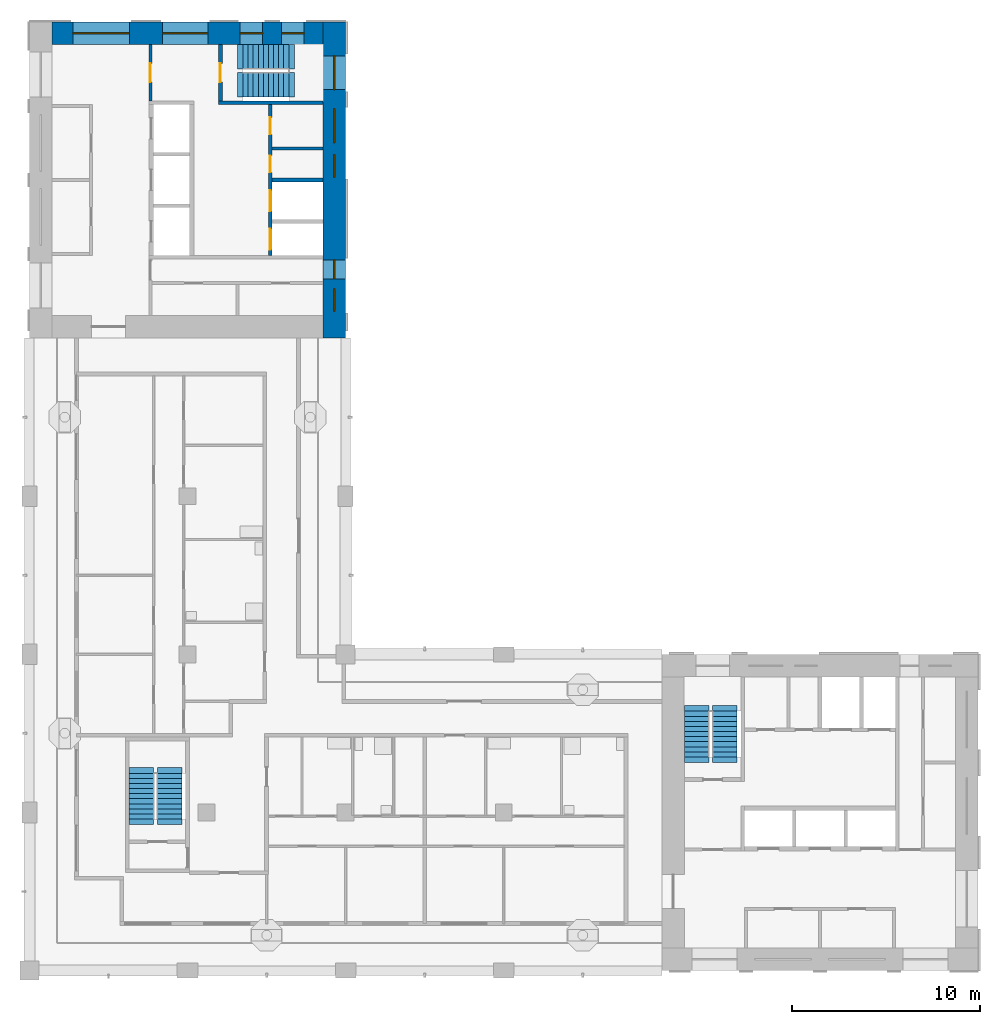
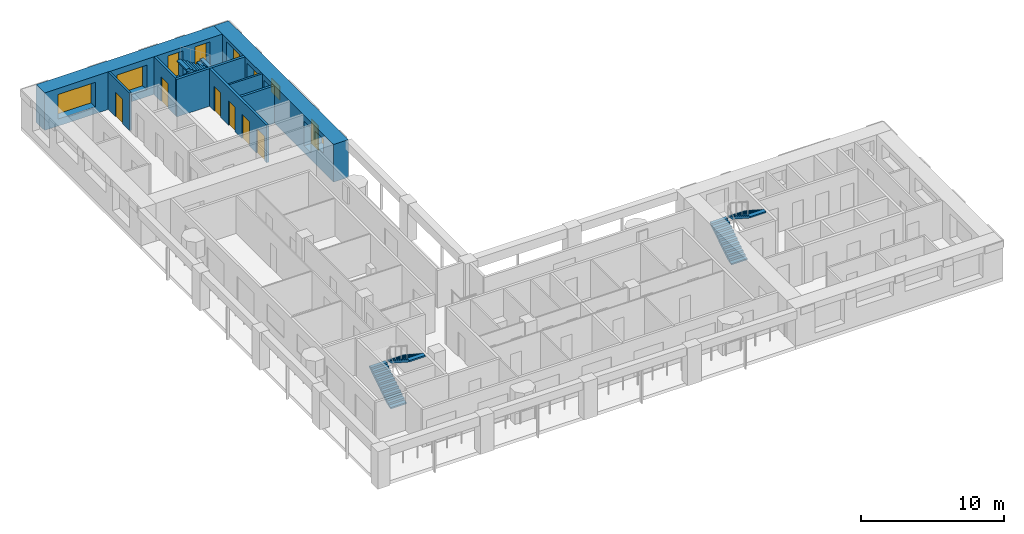
# One storey, part 6 of 11: 9 windows, 8 walls, 6 doors, 6 stair flights, 15 openings, 3 elements without a shape of their own.
"""IFC4 building model written with IfcOpenShell, lengths in metres."""

from ifc_helpers import new_model, si_unit, direction, frame, frame_2d, origin, place, context, subcontext, project, spatial, polyline, rectangle, outline, extrude, material, layer, layer_set, type_object, element, fill, aggregate, save


model = new_model("IFC4")

# Units and contexts
model_context = context("Model", 3, precision=1e-05, world=origin(), true_north=direction((0.0, 1.0)))
body_context = subcontext(model_context, "Body", "Model", "MODEL_VIEW")
ifc_project = project(units=[si_unit("LENGTHUNIT", "METRE"), si_unit("AREAUNIT", "SQUARE_METRE"), si_unit("VOLUMEUNIT", "CUBIC_METRE"), si_unit("PLANEANGLEUNIT", "RADIAN"), si_unit("MASSUNIT", "GRAM", prefix="KILO")], contexts=[model_context])

# Site, building, storey
site_placement = place(None, origin())
site = spatial("IfcSite", under=ifc_project, at=site_placement, CompositionType="ELEMENT")
building_placement = place(site_placement, origin())
building = spatial("IfcBuilding", under=site, at=building_placement, Name="Vermilion Gate Residences", CompositionType="ELEMENT")
storey_placement = place(building_placement, frame((0.0, 0.0, 259.699951171875)))
storey = spatial("IfcBuildingStorey", under=building, at=storey_placement, Name="L68", CompositionType="ELEMENT", Elevation=259.699951171875)

# Wall
ifc_material_1 = material(Name="Masonry blockwork", Category="masonry")
ifc_layer_1 = layer(ifc_material_1, 0.14990234375)
ifc_layer_set_1 = layer_set([ifc_layer_1], Name="BLOCKWORK PARTITION 150 EI 120")
wall_type_1 = type_object("IfcWallType", Name="BLOCKWORK PARTITION 150 EI 120", PredefinedType="PARTITIONING", material=ifc_layer_set_1)
wall_1_placement = place(storey_placement, frame((21.300048828125, 52.074951171875, 0.0), z_axis=(0.0, 0.0, 1.0), x_axis=(1.0, 0.0, 0.0)))
element("IfcWall", 1, at=wall_1_placement, inside=storey, type_object=wall_type_1, Name="Core room partition B68-NR-P0", PredefinedType="PARTITIONING", context=body_context, shape_type="SweptSolid", body=[
    extrude(rectangle(XDim=2.699951171875, YDim=0.14990234375, at=frame_2d((1.35009765625, 0.0))), origin(), (0.0, 0.0, 1.0), 3.219970703125),
])

# Wall, opening, door
wall_2_placement = place(storey_placement, frame((14.824951171875, 57.60009765625, 0.0), z_axis=(0.0, 0.0, 1.0), x_axis=(0.0, -1.0, 0.0)))
wall_2 = element("IfcWall", 2, at=wall_2_placement, inside=storey, type_object=wall_type_1, Name="Core room partition B68-VW-S", PredefinedType="PARTITIONING", context=body_context, shape_type="SweptSolid", body=[
    extrude(rectangle(XDim=3.0, YDim=0.14990234375, at=frame_2d((1.5, 0.0))), origin(), (0.0, 0.0, 1.0), 3.219970703125),
])
opening_1_placement = place(wall_2_placement, frame((1.0, 0.0, 0.0)))
opening_1 = element("IfcOpeningElement", 3, at=opening_1_placement, cuts=wall_2, Name="Opening DK68111", PredefinedType="OPENING", context=body_context, shape_type="SweptSolid", body=[
    extrude(rectangle(XDim=1.0, YDim=2.10009765625, at=frame_2d((0.5, 1.050048828125))), frame((0.0, 0.0849609375, 0.0), z_axis=(0.0, -1.0, 0.0), x_axis=(1.0, 0.0, 0.0)), (0.0, 0.0, 1.0), 0.169921875),
])
ifc_material_2 = material(Name="Steel", Category="steel")
door_type_1 = type_object("IfcDoorType", Name="FIRE DOOR FD60 1000 X 2100", OperationType="SINGLE_SWING_LEFT", PredefinedType="DOOR", material=ifc_material_2)
door_1_placement = place(opening_1_placement, frame((1.0, 0.0, 0.0), z_axis=(0.0, 0.0, 1.0), x_axis=(-1.0, 0.0, 0.0)))
door_1 = element("IfcDoor", 4, at=door_1_placement, inside=storey, type_object=door_type_1, Name="Stair vestibule door B68", OperationType="SINGLE_SWING_RIGHT", OverallHeight=2.10009765625, OverallWidth=1.0, PredefinedType="DOOR", context=body_context, shape_type="SweptSolid", body=[
    extrude(rectangle(XDim=1.0, YDim=2.10009765625, at=frame_2d((0.5, 1.050048828125))), frame((0.0, 0.02490234375, 0.0), z_axis=(0.0, -1.0, 0.0), x_axis=(1.0, 0.0, 0.0)), (0.0, 0.0, 1.0), 0.050048828125),
])
fill(opening_1, door_1)

# Wall
ifc_material_3 = material(Name="Concrete C60", Category="concrete")
ifc_layer_2 = layer(ifc_material_3, 0.199951171875)
ifc_layer_set_2 = layer_set([ifc_layer_2], Name="RC CORE INTERNAL WALL 200 C60")
wall_type_2 = type_object("IfcWallType", Name="RC CORE INTERNAL WALL 200 C60", PredefinedType="SHEAR", material=ifc_layer_set_2)
wall_3_placement = place(storey_placement, frame((21.300048828125, 50.39990234375, 0.0), z_axis=(0.0, 0.0, 1.0), x_axis=(1.0, 0.0, 0.0)))
element("IfcWall", 5, at=wall_3_placement, inside=storey, type_object=wall_type_2, Name="Core internal wall B68-FF-D0", PredefinedType="SHEAR", context=body_context, shape_type="SweptSolid", body=[
    extrude(rectangle(XDim=2.699951171875, YDim=0.199951171875, at=frame_2d((1.35009765625, 0.0))), origin(), (0.0, 0.0, 1.0), 3.219970703125),
])

# Wall, openings, doors
wall_4_placement = place(storey_placement, frame((21.199951171875, 54.39990234375, 0.0), z_axis=(0.0, 0.0, 1.0), x_axis=(0.0, -1.0, 0.0)))
wall_4 = element("IfcWall", 6, at=wall_4_placement, inside=storey, type_object=wall_type_2, Name="Core internal wall B68-FF-F", PredefinedType="SHEAR", context=body_context, shape_type="SweptSolid", body=[
    extrude(rectangle(XDim=8.0, YDim=0.199951171875, at=frame_2d((4.0, 0.0))), origin(), (0.0, 0.0, 1.0), 3.219970703125),
])
opening_2_placement = place(wall_4_placement, frame((0.675048828125, 0.0, 0.0)))
opening_2 = element("IfcOpeningElement", 7, at=opening_2_placement, cuts=wall_4, Name="Opening DK68107", PredefinedType="OPENING", context=body_context, shape_type="SweptSolid", body=[
    extrude(rectangle(XDim=0.89990234375, YDim=2.10009765625, at=frame_2d((0.449951171875, 1.050048828125))), frame((0.0, 0.10986328125, 0.0), z_axis=(0.0, -1.0, 0.0), x_axis=(1.0, 0.0, 0.0)), (0.0, 0.0, 1.0), 0.219970703125),
])
opening_3_placement = place(wall_4_placement, frame((2.699951171875, 0.0, 0.0)))
opening_3 = element("IfcOpeningElement", 8, at=opening_3_placement, cuts=wall_4, Name="Opening DK68108", PredefinedType="OPENING", context=body_context, shape_type="SweptSolid", body=[
    extrude(rectangle(XDim=0.89990234375, YDim=2.10009765625, at=frame_2d((0.449951171875, 1.050048828125))), frame((0.0, 0.10986328125, 0.0), z_axis=(0.0, -1.0, 0.0), x_axis=(1.0, 0.0, 0.0)), (0.0, 0.0, 1.0), 0.219970703125),
])
opening_4_placement = place(wall_4_placement, frame((4.550048828125, 0.0, 0.0)))
opening_4 = element("IfcOpeningElement", 9, at=opening_4_placement, cuts=wall_4, Name="Opening LD", PredefinedType="OPENING", context=body_context, shape_type="SweptSolid", body=[
    extrude(rectangle(XDim=1.10009765625, YDim=2.10009765625, at=frame_2d((0.550048828125, 1.050048828125))), frame((0.0, 0.10986328125, 0.0), z_axis=(0.0, -1.0, 0.0), x_axis=(1.0, 0.0, 0.0)), (0.0, 0.0, 1.0), 0.219970703125),
])
opening_5_placement = place(wall_4_placement, frame((6.60009765625, 0.0, 0.0)))
opening_5 = element("IfcOpeningElement", 10, at=opening_5_placement, cuts=wall_4, Name="Opening LD", PredefinedType="OPENING", context=body_context, shape_type="SweptSolid", body=[
    extrude(rectangle(XDim=1.10009765625, YDim=2.10009765625, at=frame_2d((0.550048828125, 1.050048828125))), frame((0.0, 0.10986328125, 0.0), z_axis=(0.0, -1.0, 0.0), x_axis=(1.0, 0.0, 0.0)), (0.0, 0.0, 1.0), 0.219970703125),
])
ifc_material_4 = material(Name="Stainless steel", Category="steel")
door_type_2 = type_object("IfcDoorType", Name="LIFT LANDING DOOR E60 1100 X 2100", OperationType="DOUBLE_DOOR_SLIDING", PredefinedType="DOOR", material=ifc_material_4)
door_2_placement = place(opening_4_placement, origin())
door_2 = element("IfcDoor", 11, at=door_2_placement, inside=storey, type_object=door_type_2, Name="Lift landing door LFB1", OperationType="DOUBLE_DOOR_SLIDING", OverallHeight=2.10009765625, OverallWidth=1.10009765625, PredefinedType="DOOR", context=body_context, shape_type="SweptSolid", body=[
    extrude(rectangle(XDim=1.10009765625, YDim=2.10009765625, at=frame_2d((0.550048828125, 1.050048828125))), frame((0.0, 0.02490234375, 0.0), z_axis=(0.0, -1.0, 0.0), x_axis=(1.0, 0.0, 0.0)), (0.0, 0.0, 1.0), 0.050048828125),
])
fill(opening_4, door_2)
door_3_placement = place(opening_5_placement, origin())
door_3 = element("IfcDoor", 12, at=door_3_placement, inside=storey, type_object=door_type_2, Name="Lift landing door LCB1", OperationType="DOUBLE_DOOR_SLIDING", OverallHeight=2.10009765625, OverallWidth=1.10009765625, PredefinedType="DOOR", context=body_context, shape_type="SweptSolid", body=[
    extrude(rectangle(XDim=1.10009765625, YDim=2.10009765625, at=frame_2d((0.550048828125, 1.050048828125))), frame((0.0, 0.02490234375, 0.0), z_axis=(0.0, -1.0, 0.0), x_axis=(1.0, 0.0, 0.0)), (0.0, 0.0, 1.0), 0.050048828125),
])
fill(opening_5, door_3)
ifc_material_5 = material(Name="Steel", Category="steel")
door_type_3 = type_object("IfcDoorType", Name="SERVICE ROOM DOOR FD60 900 X 2100", OperationType="SINGLE_SWING_LEFT", PredefinedType="DOOR", material=ifc_material_5)
door_4_placement = place(opening_2_placement, origin())
door_4 = element("IfcDoor", 13, at=door_4_placement, inside=storey, type_object=door_type_3, Name="Parcel room B68", OperationType="SINGLE_SWING_RIGHT", OverallHeight=2.10009765625, OverallWidth=0.89990234375, PredefinedType="DOOR", context=body_context, shape_type="SweptSolid", body=[
    extrude(rectangle(XDim=0.89990234375, YDim=2.10009765625, at=frame_2d((0.449951171875, 1.050048828125))), frame((0.0, 0.02490234375, 0.0), z_axis=(0.0, -1.0, 0.0), x_axis=(1.0, 0.0, 0.0)), (0.0, 0.0, 1.0), 0.050048828125),
])
fill(opening_2, door_4)
door_5_placement = place(opening_3_placement, frame((0.89990234375, 0.0, 0.0), z_axis=(0.0, 0.0, 1.0), x_axis=(-1.0, 0.0, 0.0)))
door_5 = element("IfcDoor", 14, at=door_5_placement, inside=storey, type_object=door_type_3, Name="Electrical room B68", OperationType="SINGLE_SWING_RIGHT", OverallHeight=2.10009765625, OverallWidth=0.89990234375, PredefinedType="DOOR", context=body_context, shape_type="SweptSolid", body=[
    extrude(rectangle(XDim=0.89990234375, YDim=2.10009765625, at=frame_2d((0.449951171875, 1.050048828125))), frame((0.0, 0.02490234375, 0.0), z_axis=(0.0, -1.0, 0.0), x_axis=(1.0, 0.0, 0.0)), (0.0, 0.0, 1.0), 0.050048828125),
])
fill(opening_3, door_5)

# Wall
wall_5_placement = place(storey_placement, frame((18.449951171875, 54.5, 0.0), z_axis=(0.0, 0.0, 1.0), x_axis=(1.0, 0.0, 0.0)))
element("IfcWall", 15, at=wall_5_placement, inside=storey, type_object=wall_type_2, Name="Core internal wall B68-WDIV2", PredefinedType="SHEAR", context=body_context, shape_type="SweptSolid", body=[
    extrude(rectangle(XDim=5.550048828125, YDim=0.199951171875, at=frame_2d((2.77490234375, 0.0))), origin(), (0.0, 0.0, 1.0), 3.219970703125),
])

# Wall, opening, door
wall_6_placement = place(storey_placement, frame((18.550048828125, 57.60009765625, 0.0), z_axis=(0.0, 0.0, 1.0), x_axis=(0.0, -1.0, 0.0)))
wall_6 = element("IfcWall", 16, at=wall_6_placement, inside=storey, type_object=wall_type_2, Name="Core internal wall B68-STW-S", PredefinedType="SHEAR", context=body_context, shape_type="SweptSolid", body=[
    extrude(rectangle(XDim=3.0, YDim=0.199951171875, at=frame_2d((1.5, 0.0))), origin(), (0.0, 0.0, 1.0), 3.219970703125),
])
opening_6_placement = place(wall_6_placement, frame((1.0, 0.0, 0.0)))
opening_6 = element("IfcOpeningElement", 17, at=opening_6_placement, cuts=wall_6, Name="Opening DK68112", PredefinedType="OPENING", context=body_context, shape_type="SweptSolid", body=[
    extrude(rectangle(XDim=1.0, YDim=2.10009765625, at=frame_2d((0.5, 1.050048828125))), frame((0.0, 0.10986328125, 0.0), z_axis=(0.0, -1.0, 0.0), x_axis=(1.0, 0.0, 0.0)), (0.0, 0.0, 1.0), 0.219970703125),
])
door_6_placement = place(opening_6_placement, origin())
door_6 = element("IfcDoor", 18, at=door_6_placement, inside=storey, type_object=door_type_1, Name="Stair door B68", OperationType="SINGLE_SWING_LEFT", OverallHeight=2.10009765625, OverallWidth=1.0, PredefinedType="DOOR", context=body_context, shape_type="SweptSolid", body=[
    extrude(rectangle(XDim=1.0, YDim=2.10009765625, at=frame_2d((0.5, 1.050048828125))), frame((0.0, 0.02490234375, 0.0), z_axis=(0.0, -1.0, 0.0), x_axis=(1.0, 0.0, 0.0)), (0.0, 0.0, 1.0), 0.050048828125),
])
fill(opening_6, door_6)

# Wall, openings, windows
ifc_material_6 = material(Name="Concrete C50 red-oxide pigmented", Category="concrete")
ifc_layer_3 = layer(ifc_material_6, 1.199951171875)
ifc_layer_set_3 = layer_set([ifc_layer_3], Name="RC CORE WALL 1200 C50 RED OXIDE")
wall_type_3 = type_object("IfcWallType", Name="RC CORE WALL 1200 C50 RED OXIDE", PredefinedType="SHEAR", material=ifc_layer_set_3)
wall_7_placement = place(storey_placement, frame((24.60009765625, 58.800048828125, 0.0), z_axis=(0.0, 0.0, 1.0), x_axis=(0.0, -1.0, 0.0)))
wall_7 = element("IfcWall", 19, at=wall_7_placement, inside=storey, type_object=wall_type_3, Name="Core wall B68-OUT-B1", PredefinedType="SHEAR", context=body_context, shape_type="SweptSolid", body=[
    extrude(rectangle(XDim=16.800048828125, YDim=1.199951171875, at=frame_2d((8.39990234375, 0.0))), origin(), (0.0, 0.0, 1.0), 3.219970703125),
])
opening_7_placement = place(wall_7_placement, frame((1.800048828125, 0.0, 0.5)))
opening_7 = element("IfcOpeningElement", 20, at=opening_7_placement, cuts=wall_7, Name="Opening WKB6805", PredefinedType="OPENING", context=body_context, shape_type="SweptSolid", body=[
    extrude(rectangle(XDim=1.800048828125, YDim=2.39990234375, at=frame_2d((0.89990234375, 1.199951171875))), frame((0.0, 0.60986328125, 0.0), z_axis=(0.0, -1.0, 0.0), x_axis=(1.0, 0.0, 0.0)), (0.0, 0.0, 1.0), 1.219970703125),
])
opening_8_placement = place(wall_7_placement, frame((4.625, 0.0, 1.60009765625)))
opening_8 = element("IfcOpeningElement", 21, at=opening_8_placement, cuts=wall_7, Name="Opening WKB6806", PredefinedType="OPENING", context=body_context, shape_type="SweptSolid", body=[
    extrude(rectangle(XDim=1.800048828125, YDim=1.199951171875, at=frame_2d((0.89990234375, 0.60009765625))), frame((0.0, 0.60986328125, 0.0), z_axis=(0.0, -1.0, 0.0), x_axis=(1.0, 0.0, 0.0)), (0.0, 0.0, 1.0), 1.219970703125),
])
opening_9_placement = place(wall_7_placement, frame((7.050048828125, 0.0, 1.60009765625)))
opening_9 = element("IfcOpeningElement", 22, at=opening_9_placement, cuts=wall_7, Name="Opening WKB6807", PredefinedType="OPENING", context=body_context, shape_type="SweptSolid", body=[
    extrude(rectangle(XDim=1.199951171875, YDim=1.199951171875, at=frame_2d((0.60009765625, 0.60009765625))), frame((0.0, 0.60986328125, 0.0), z_axis=(0.0, -1.0, 0.0), x_axis=(1.0, 0.0, 0.0)), (0.0, 0.0, 1.0), 1.219970703125),
])
opening_10_placement = place(wall_7_placement, frame((12.64990234375, 0.0, 0.60009765625)))
opening_10 = element("IfcOpeningElement", 23, at=opening_10_placement, cuts=wall_7, Name="Opening WKB6808", PredefinedType="OPENING", context=body_context, shape_type="SweptSolid", body=[
    extrude(rectangle(XDim=1.0, YDim=2.10009765625, at=frame_2d((0.5, 1.050048828125))), frame((0.0, 0.60986328125, 0.0), z_axis=(0.0, -1.0, 0.0), x_axis=(1.0, 0.0, 0.0)), (0.0, 0.0, 1.0), 1.219970703125),
])
opening_11_placement = place(wall_7_placement, frame((14.175048828125, 0.0, 1.60009765625)))
opening_11 = element("IfcOpeningElement", 24, at=opening_11_placement, cuts=wall_7, Name="Opening WKB6809", PredefinedType="OPENING", context=body_context, shape_type="SweptSolid", body=[
    extrude(rectangle(XDim=1.199951171875, YDim=1.199951171875, at=frame_2d((0.60009765625, 0.60009765625))), frame((0.0, 0.60986328125, 0.0), z_axis=(0.0, -1.0, 0.0), x_axis=(1.0, 0.0, 0.0)), (0.0, 0.0, 1.0), 1.219970703125),
])
ifc_material_7 = material(Name="Aluminium and clear glass", Category="aluminium")
window_type_1 = type_object("IfcWindowType", Name="CORE CORRIDOR WINDOW 1000 X 2100", PartitioningType="SINGLE_PANEL", PredefinedType="WINDOW", material=ifc_material_7)
window_1_placement = place(opening_10_placement, origin())
window_1 = element("IfcWindow", 25, at=window_1_placement, inside=storey, type_object=window_type_1, Name="Core corridor window", OverallHeight=2.10009765625, OverallWidth=1.0, PartitioningType="SINGLE_PANEL", PredefinedType="WINDOW", context=body_context, shape_type="SweptSolid", body=[
    extrude(rectangle(XDim=1.0, YDim=2.10009765625, at=frame_2d((0.5, 1.050048828125))), frame((0.0, 0.030029296875, 0.0), z_axis=(0.0, -1.0, 0.0), x_axis=(1.0, 0.0, 0.0)), (0.0, 0.0, 1.0), 0.06005859375),
])
fill(opening_10, window_1)
ifc_material_8 = material(Name="Aluminium frame with louvre blades", Category="aluminium")
window_type_2 = type_object("IfcWindowType", Name="CORE LOUVRE 1200 X 1200", PartitioningType="SINGLE_PANEL", PredefinedType="WINDOW", material=ifc_material_8)
window_2_placement = place(opening_9_placement, origin())
window_2 = element("IfcWindow", 26, at=window_2_placement, inside=storey, type_object=window_type_2, Name="Core louvre", OverallHeight=1.199951171875, OverallWidth=1.199951171875, PartitioningType="SINGLE_PANEL", PredefinedType="WINDOW", context=body_context, shape_type="SweptSolid", body=[
    extrude(rectangle(XDim=1.199951171875, YDim=1.199951171875, at=frame_2d((0.60009765625, 0.60009765625))), frame((0.0, 0.030029296875, 0.0), z_axis=(0.0, -1.0, 0.0), x_axis=(1.0, 0.0, 0.0)), (0.0, 0.0, 1.0), 0.06005859375),
])
fill(opening_9, window_2)
window_3_placement = place(opening_11_placement, origin())
window_3 = element("IfcWindow", 27, at=window_3_placement, inside=storey, type_object=window_type_2, Name="Core louvre", OverallHeight=1.199951171875, OverallWidth=1.199951171875, PartitioningType="SINGLE_PANEL", PredefinedType="WINDOW", context=body_context, shape_type="SweptSolid", body=[
    extrude(rectangle(XDim=1.199951171875, YDim=1.199951171875, at=frame_2d((0.60009765625, 0.60009765625))), frame((0.0, 0.030029296875, 0.0), z_axis=(0.0, -1.0, 0.0), x_axis=(1.0, 0.0, 0.0)), (0.0, 0.0, 1.0), 0.06005859375),
])
fill(opening_11, window_3)
ifc_material_9 = material(Name="Aluminium frame with louvre blades", Category="aluminium")
window_type_3 = type_object("IfcWindowType", Name="CORE LOUVRE 1800 X 1200", PartitioningType="SINGLE_PANEL", PredefinedType="WINDOW", material=ifc_material_9)
window_4_placement = place(opening_8_placement, origin())
window_4 = element("IfcWindow", 28, at=window_4_placement, inside=storey, type_object=window_type_3, Name="Core louvre", OverallHeight=1.199951171875, OverallWidth=1.800048828125, PartitioningType="SINGLE_PANEL", PredefinedType="WINDOW", context=body_context, shape_type="SweptSolid", body=[
    extrude(rectangle(XDim=1.800048828125, YDim=1.199951171875, at=frame_2d((0.89990234375, 0.60009765625))), frame((0.0, 0.030029296875, 0.0), z_axis=(0.0, -1.0, 0.0), x_axis=(1.0, 0.0, 0.0)), (0.0, 0.0, 1.0), 0.06005859375),
])
fill(opening_8, window_4)
ifc_material_10 = material(Name="Aluminium and clear glass", Category="aluminium")
window_type_4 = type_object("IfcWindowType", Name="CORE STAIR WINDOW 1800 X 2400", PartitioningType="SINGLE_PANEL", PredefinedType="WINDOW", material=ifc_material_10)
window_5_placement = place(opening_7_placement, origin())
window_5 = element("IfcWindow", 29, at=window_5_placement, inside=storey, type_object=window_type_4, Name="Core stair window", OverallHeight=2.39990234375, OverallWidth=1.800048828125, PartitioningType="SINGLE_PANEL", PredefinedType="WINDOW", context=body_context, shape_type="SweptSolid", body=[
    extrude(rectangle(XDim=1.800048828125, YDim=2.39990234375, at=frame_2d((0.89990234375, 1.199951171875))), frame((0.0, 0.030029296875, 0.0), z_axis=(0.0, -1.0, 0.0), x_axis=(1.0, 0.0, 0.0)), (0.0, 0.0, 1.0), 0.06005859375),
])
fill(opening_7, window_5)

wall_8_placement = place(storey_placement, frame((9.60009765625, 58.199951171875, 0.0), z_axis=(0.0, 0.0, 1.0), x_axis=(1.0, 0.0, 0.0)))
wall_8 = element("IfcWall", 30, at=wall_8_placement, inside=storey, type_object=wall_type_3, Name="Core wall B68-OUT-FR", PredefinedType="SHEAR", context=body_context, shape_type="SweptSolid", body=[
    extrude(rectangle(XDim=14.39990234375, YDim=1.199951171875, at=frame_2d((7.199951171875, 0.0))), origin(), (0.0, 0.0, 1.0), 3.219970703125),
])
opening_12_placement = place(wall_8_placement, frame((1.10498046875, 0.0, 0.60009765625)))
opening_12 = element("IfcOpeningElement", 31, at=opening_12_placement, cuts=wall_8, Name="Opening WKB6810", PredefinedType="OPENING", context=body_context, shape_type="SweptSolid", body=[
    extrude(rectangle(XDim=3.0, YDim=2.10009765625, at=frame_2d((1.5, 1.050048828125))), frame((0.0, 0.60986328125, 0.0), z_axis=(0.0, -1.0, 0.0), x_axis=(1.0, 0.0, 0.0)), (0.0, 0.0, 1.0), 1.219970703125),
])
opening_13_placement = place(wall_8_placement, frame((5.875, 0.0, 0.60009765625)))
opening_13 = element("IfcOpeningElement", 32, at=opening_13_placement, cuts=wall_8, Name="Opening WKB6811", PredefinedType="OPENING", context=body_context, shape_type="SweptSolid", body=[
    extrude(rectangle(XDim=2.39990234375, YDim=2.10009765625, at=frame_2d((1.199951171875, 1.050048828125))), frame((0.0, 0.60986328125, 0.0), z_axis=(0.0, -1.0, 0.0), x_axis=(1.0, 0.0, 0.0)), (0.0, 0.0, 1.0), 1.219970703125),
])
opening_14_placement = place(wall_8_placement, frame((9.993408203125, 0.0, 0.5)))
opening_14 = element("IfcOpeningElement", 33, at=opening_14_placement, cuts=wall_8, Name="Opening WKB6812", PredefinedType="OPENING", context=body_context, shape_type="SweptSolid", body=[
    extrude(rectangle(XDim=1.199951171875, YDim=2.39990234375, at=frame_2d((0.60009765625, 1.199951171875))), frame((0.0, 0.60986328125, 0.0), z_axis=(0.0, -1.0, 0.0), x_axis=(1.0, 0.0, 0.0)), (0.0, 0.0, 1.0), 1.219970703125),
])
opening_15_placement = place(wall_8_placement, frame((12.19677734375, 0.0, 0.5)))
opening_15 = element("IfcOpeningElement", 34, at=opening_15_placement, cuts=wall_8, Name="Opening WKB6813", PredefinedType="OPENING", context=body_context, shape_type="SweptSolid", body=[
    extrude(rectangle(XDim=1.199951171875, YDim=2.39990234375, at=frame_2d((0.60009765625, 1.199951171875))), frame((0.0, 0.60986328125, 0.0), z_axis=(0.0, -1.0, 0.0), x_axis=(1.0, 0.0, 0.0)), (0.0, 0.0, 1.0), 1.219970703125),
])
ifc_material_11 = material(Name="Aluminium and clear glass", Category="aluminium")
window_type_5 = type_object("IfcWindowType", Name="CORE LOBBY WINDOW 2400 X 2100", PartitioningType="SINGLE_PANEL", PredefinedType="WINDOW", material=ifc_material_11)
window_6_placement = place(opening_13_placement, origin())
window_6 = element("IfcWindow", 35, at=window_6_placement, inside=storey, type_object=window_type_5, Name="Core lobby window", OverallHeight=2.10009765625, OverallWidth=2.39990234375, PartitioningType="SINGLE_PANEL", PredefinedType="WINDOW", context=body_context, shape_type="SweptSolid", body=[
    extrude(rectangle(XDim=2.39990234375, YDim=2.10009765625, at=frame_2d((1.199951171875, 1.050048828125))), frame((0.0, 0.030029296875, 0.0), z_axis=(0.0, -1.0, 0.0), x_axis=(1.0, 0.0, 0.0)), (0.0, 0.0, 1.0), 0.06005859375),
])
fill(opening_13, window_6)
ifc_material_12 = material(Name="Aluminium and clear glass", Category="aluminium")
window_type_6 = type_object("IfcWindowType", Name="CORE LOBBY WINDOW 3000 X 2100", PartitioningType="SINGLE_PANEL", PredefinedType="WINDOW", material=ifc_material_12)
window_7_placement = place(opening_12_placement, origin())
window_7 = element("IfcWindow", 36, at=window_7_placement, inside=storey, type_object=window_type_6, Name="Core lobby window", OverallHeight=2.10009765625, OverallWidth=3.0, PartitioningType="SINGLE_PANEL", PredefinedType="WINDOW", context=body_context, shape_type="SweptSolid", body=[
    extrude(rectangle(XDim=3.0, YDim=2.10009765625, at=frame_2d((1.5, 1.050048828125))), frame((0.0, 0.030029296875, 0.0), z_axis=(0.0, -1.0, 0.0), x_axis=(1.0, 0.0, 0.0)), (0.0, 0.0, 1.0), 0.06005859375),
])
fill(opening_12, window_7)
ifc_material_13 = material(Name="Aluminium and clear glass", Category="aluminium")
window_type_7 = type_object("IfcWindowType", Name="CORE STAIR WINDOW 1200 X 2400", PartitioningType="SINGLE_PANEL", PredefinedType="WINDOW", material=ifc_material_13)
window_8_placement = place(opening_14_placement, origin())
window_8 = element("IfcWindow", 37, at=window_8_placement, inside=storey, type_object=window_type_7, Name="Core stair window", OverallHeight=2.39990234375, OverallWidth=1.199951171875, PartitioningType="SINGLE_PANEL", PredefinedType="WINDOW", context=body_context, shape_type="SweptSolid", body=[
    extrude(rectangle(XDim=1.199951171875, YDim=2.39990234375, at=frame_2d((0.60009765625, 1.199951171875))), frame((0.0, 0.030029296875, 0.0), z_axis=(0.0, -1.0, 0.0), x_axis=(1.0, 0.0, 0.0)), (0.0, 0.0, 1.0), 0.06005859375),
])
fill(opening_14, window_8)
window_9_placement = place(opening_15_placement, origin())
window_9 = element("IfcWindow", 38, at=window_9_placement, inside=storey, type_object=window_type_7, Name="Core stair window", OverallHeight=2.39990234375, OverallWidth=1.199951171875, PartitioningType="SINGLE_PANEL", PredefinedType="WINDOW", context=body_context, shape_type="SweptSolid", body=[
    extrude(rectangle(XDim=1.199951171875, YDim=2.39990234375, at=frame_2d((0.60009765625, 1.199951171875))), frame((0.0, 0.030029296875, 0.0), z_axis=(0.0, -1.0, 0.0), x_axis=(1.0, 0.0, 0.0)), (0.0, 0.0, 1.0), 0.06005859375),
])
fill(opening_15, window_9)

# Stair, stair flights
ifc_material_14 = material(Name="Concrete C50", Category="concrete")
stair_type = type_object("IfcStairType", Name="SPECIAL ESCAPE STAIR 1300", PredefinedType="HALF_TURN_STAIR", material=ifc_material_14)
stair_1_placement = place(storey_placement, origin())
stair_1 = element("IfcStair", 39, at=stair_1_placement, inside=storey, type_object=stair_type, Name="Special escape stair STA1-68", PredefinedType="HALF_TURN_STAIR")
ifc_material_15 = material(Name="Concrete C50", Category="concrete")
stair_flight_type = type_object("IfcStairFlightType", Name="STAIR FLIGHT 1300 RC C50", PredefinedType="STRAIGHT", material=ifc_material_15)
stair_flight_1_placement = place(storey_placement, frame((43.85009765625, 19.75, 0.0), z_axis=(0.0, 0.0, 1.0), x_axis=(0.0, 1.0, 0.0)))
stair_flight_1 = element("IfcStairFlight", 40, at=stair_flight_1_placement, type_object=stair_flight_type, Name="STA1-68 flight 1", NumberOfRisers=10, NumberOfTreads=9, PredefinedType="STRAIGHT", RiserHeight=0.175, TreadLength=0.27, context=body_context, shape_type="SweptSolid", body=[
    extrude(outline(polyline([(-0.300048828125, -0.14990234375), (-0.300048828125, -0.030029296875), (0.0, 0.0), (0.0, 0.175048828125), (0.27001953125, 0.175048828125), (0.27001953125, 0.35009765625), (0.5400390625, 0.35009765625), (0.5400390625, 0.52490234375), (0.81005859375, 0.52490234375), (0.81005859375, 0.699951171875), (1.080078125, 0.699951171875), (1.080078125, 0.875), (1.35009765625, 0.875), (1.35009765625, 1.050048828125), (1.6201171875, 1.050048828125), (1.6201171875, 1.22509765625), (1.889892578125, 1.22509765625), (1.889892578125, 1.39990234375), (2.159912109375, 1.39990234375), (2.159912109375, 1.574951171875), (2.429931640625, 1.574951171875), (2.429931640625, 1.75), (2.72998046875, 1.719970703125), (2.72998046875, 1.60009765625), (2.429931640625, 1.396484375), (0.275634765625, 0.0), (-0.300048828125, -0.14990234375)])), frame((0.0, 0.64990234375, 0.0), z_axis=(0.0, -1.0, 0.0), x_axis=(1.0, 0.0, 0.0)), (0.0, 0.0, 1.0), 1.300048828125),
])
stair_flight_2_placement = place(storey_placement, frame((45.35009765625, 22.179931640625, 1.75), z_axis=(0.0, 0.0, 1.0), x_axis=(0.0, -1.0, 0.0)))
stair_flight_2 = element("IfcStairFlight", 41, at=stair_flight_2_placement, type_object=stair_flight_type, Name="STA1-68 flight 2", NumberOfRisers=10, NumberOfTreads=9, PredefinedType="STRAIGHT", RiserHeight=0.175, TreadLength=0.27, context=body_context, shape_type="SweptSolid", body=[
    extrude(outline(polyline([(-0.300048828125, -0.14990234375), (-0.300048828125, -0.030029296875), (0.0, 0.0), (0.0, 0.175048828125), (0.27001953125, 0.175048828125), (0.27001953125, 0.35009765625), (0.5400390625, 0.35009765625), (0.5400390625, 0.52490234375), (0.81005859375, 0.52490234375), (0.81005859375, 0.699951171875), (1.080078125, 0.699951171875), (1.080078125, 0.875), (1.35009765625, 0.875), (1.35009765625, 1.050048828125), (1.6201171875, 1.050048828125), (1.6201171875, 1.22509765625), (1.889892578125, 1.22509765625), (1.889892578125, 1.39990234375), (2.159912109375, 1.39990234375), (2.159912109375, 1.574951171875), (2.429931640625, 1.574951171875), (2.429931640625, 1.75), (2.72998046875, 1.719970703125), (2.72998046875, 1.60009765625), (2.429931640625, 1.396484375), (0.275634765625, 0.0), (-0.300048828125, -0.14990234375)])), frame((0.0, 0.64990234375, 0.0), z_axis=(0.0, -1.0, 0.0), x_axis=(1.0, 0.0, 0.0)), (0.0, 0.0, 1.0), 1.300048828125),
])
aggregate(stair_1, [stair_flight_1, stair_flight_2])

stair_2_placement = place(storey_placement, origin())
stair_2 = element("IfcStair", 42, at=stair_2_placement, inside=storey, type_object=stair_type, Name="Special escape stair STB1-68", PredefinedType="HALF_TURN_STAIR")
stair_flight_3_placement = place(storey_placement, frame((19.75, 56.949951171875, 0.0), z_axis=(0.0, 0.0, 1.0), x_axis=(1.0, 0.0, 0.0)))
stair_flight_3 = element("IfcStairFlight", 43, at=stair_flight_3_placement, type_object=stair_flight_type, Name="STB1-68 flight 1", NumberOfRisers=10, NumberOfTreads=9, PredefinedType="STRAIGHT", RiserHeight=0.175, TreadLength=0.27, context=body_context, shape_type="SweptSolid", body=[
    extrude(outline(polyline([(-0.300048828125, -0.14990234375), (-0.300048828125, -0.030029296875), (0.0, 0.0), (0.0, 0.175048828125), (0.27001953125, 0.175048828125), (0.27001953125, 0.35009765625), (0.5400390625, 0.35009765625), (0.5400390625, 0.52490234375), (0.81005859375, 0.52490234375), (0.81005859375, 0.699951171875), (1.080078125, 0.699951171875), (1.080078125, 0.875), (1.35009765625, 0.875), (1.35009765625, 1.050048828125), (1.6201171875, 1.050048828125), (1.6201171875, 1.22509765625), (1.889892578125, 1.22509765625), (1.889892578125, 1.39990234375), (2.159912109375, 1.39990234375), (2.159912109375, 1.574951171875), (2.429931640625, 1.574951171875), (2.429931640625, 1.75), (2.72998046875, 1.719970703125), (2.72998046875, 1.60009765625), (2.429931640625, 1.396484375), (0.275634765625, 0.0), (-0.300048828125, -0.14990234375)])), frame((0.0, 0.64990234375, 0.0), z_axis=(0.0, -1.0, 0.0), x_axis=(1.0, 0.0, 0.0)), (0.0, 0.0, 1.0), 1.300048828125),
])
stair_flight_4_placement = place(storey_placement, frame((22.179931640625, 55.449951171875, 1.75), z_axis=(0.0, 0.0, 1.0), x_axis=(-1.0, 0.0, 0.0)))
stair_flight_4 = element("IfcStairFlight", 44, at=stair_flight_4_placement, type_object=stair_flight_type, Name="STB1-68 flight 2", NumberOfRisers=10, NumberOfTreads=9, PredefinedType="STRAIGHT", RiserHeight=0.175, TreadLength=0.27, context=body_context, shape_type="SweptSolid", body=[
    extrude(outline(polyline([(-0.300048828125, -0.14990234375), (-0.300048828125, -0.030029296875), (0.0, 0.0), (0.0, 0.175048828125), (0.27001953125, 0.175048828125), (0.27001953125, 0.35009765625), (0.5400390625, 0.35009765625), (0.5400390625, 0.52490234375), (0.81005859375, 0.52490234375), (0.81005859375, 0.699951171875), (1.080078125, 0.699951171875), (1.080078125, 0.875), (1.35009765625, 0.875), (1.35009765625, 1.050048828125), (1.6201171875, 1.050048828125), (1.6201171875, 1.22509765625), (1.889892578125, 1.22509765625), (1.889892578125, 1.39990234375), (2.159912109375, 1.39990234375), (2.159912109375, 1.574951171875), (2.429931640625, 1.574951171875), (2.429931640625, 1.75), (2.72998046875, 1.719970703125), (2.72998046875, 1.60009765625), (2.429931640625, 1.396484375), (0.275634765625, 0.0), (-0.300048828125, -0.14990234375)])), frame((0.0, 0.64990234375, 0.0), z_axis=(0.0, -1.0, 0.0), x_axis=(1.0, 0.0, 0.0)), (0.0, 0.0, 1.0), 1.300048828125),
])
aggregate(stair_2, [stair_flight_3, stair_flight_4])

stair_3_placement = place(storey_placement, origin())
stair_3 = element("IfcStair", 45, at=stair_3_placement, inside=storey, type_object=stair_type, Name="Special escape stair STC1-68", PredefinedType="HALF_TURN_STAIR")
stair_flight_5_placement = place(storey_placement, frame((14.35009765625, 16.449951171875, 0.0), z_axis=(0.0, 0.0, 1.0), x_axis=(0.0, 1.0, 0.0)))
stair_flight_5 = element("IfcStairFlight", 46, at=stair_flight_5_placement, type_object=stair_flight_type, Name="STC1-68 flight 1", NumberOfRisers=10, NumberOfTreads=9, PredefinedType="STRAIGHT", RiserHeight=0.175, TreadLength=0.27, context=body_context, shape_type="SweptSolid", body=[
    extrude(outline(polyline([(-0.300048828125, -0.14990234375), (-0.300048828125, -0.030029296875), (0.0, 0.0), (0.0, 0.175048828125), (0.27001953125, 0.175048828125), (0.27001953125, 0.35009765625), (0.5400390625, 0.35009765625), (0.5400390625, 0.52490234375), (0.81005859375, 0.52490234375), (0.81005859375, 0.699951171875), (1.080078125, 0.699951171875), (1.080078125, 0.875), (1.35009765625, 0.875), (1.35009765625, 1.050048828125), (1.6201171875, 1.050048828125), (1.6201171875, 1.22509765625), (1.889892578125, 1.22509765625), (1.889892578125, 1.39990234375), (2.159912109375, 1.39990234375), (2.159912109375, 1.574951171875), (2.429931640625, 1.574951171875), (2.429931640625, 1.75), (2.72998046875, 1.719970703125), (2.72998046875, 1.60009765625), (2.429931640625, 1.396484375), (0.275634765625, 0.0), (-0.300048828125, -0.14990234375)])), frame((0.0, 0.64990234375, 0.0), z_axis=(0.0, -1.0, 0.0), x_axis=(1.0, 0.0, 0.0)), (0.0, 0.0, 1.0), 1.300048828125),
])
stair_flight_6_placement = place(storey_placement, frame((15.85009765625, 18.8798828125, 1.75), z_axis=(0.0, 0.0, 1.0), x_axis=(0.0, -1.0, 0.0)))
stair_flight_6 = element("IfcStairFlight", 47, at=stair_flight_6_placement, type_object=stair_flight_type, Name="STC1-68 flight 2", NumberOfRisers=10, NumberOfTreads=9, PredefinedType="STRAIGHT", RiserHeight=0.175, TreadLength=0.27, context=body_context, shape_type="SweptSolid", body=[
    extrude(outline(polyline([(-0.300048828125, -0.14990234375), (-0.300048828125, -0.030029296875), (0.0, 0.0), (0.0, 0.175048828125), (0.27001953125, 0.175048828125), (0.27001953125, 0.35009765625), (0.5400390625, 0.35009765625), (0.5400390625, 0.52490234375), (0.81005859375, 0.52490234375), (0.81005859375, 0.699951171875), (1.080078125, 0.699951171875), (1.080078125, 0.875), (1.35009765625, 0.875), (1.35009765625, 1.050048828125), (1.6201171875, 1.050048828125), (1.6201171875, 1.22509765625), (1.889892578125, 1.22509765625), (1.889892578125, 1.39990234375), (2.159912109375, 1.39990234375), (2.159912109375, 1.574951171875), (2.429931640625, 1.574951171875), (2.429931640625, 1.75), (2.72998046875, 1.719970703125), (2.72998046875, 1.60009765625), (2.429931640625, 1.396484375), (0.275634765625, 0.0), (-0.300048828125, -0.14990234375)])), frame((0.0, 0.64990234375, 0.0), z_axis=(0.0, -1.0, 0.0), x_axis=(1.0, 0.0, 0.0)), (0.0, 0.0, 1.0), 1.300048828125),
])
aggregate(stair_3, [stair_flight_5, stair_flight_6])

save(model, "model.ifc")
